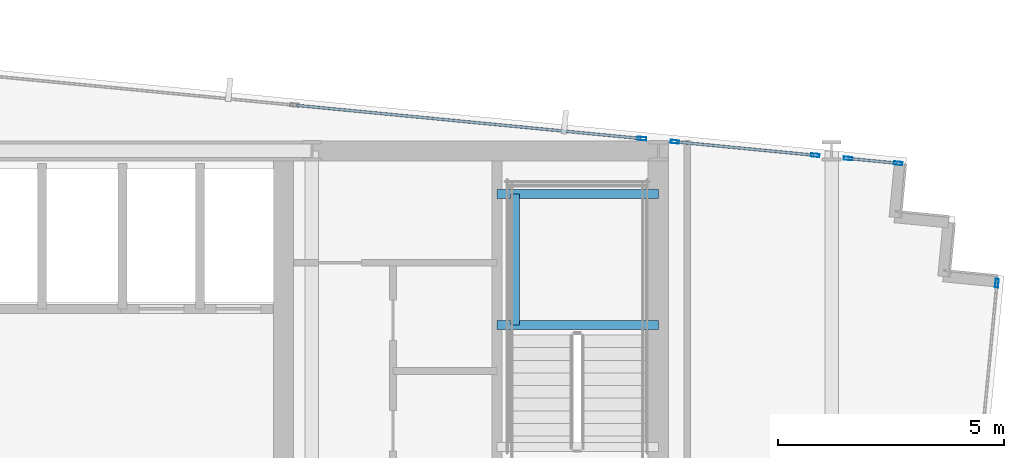
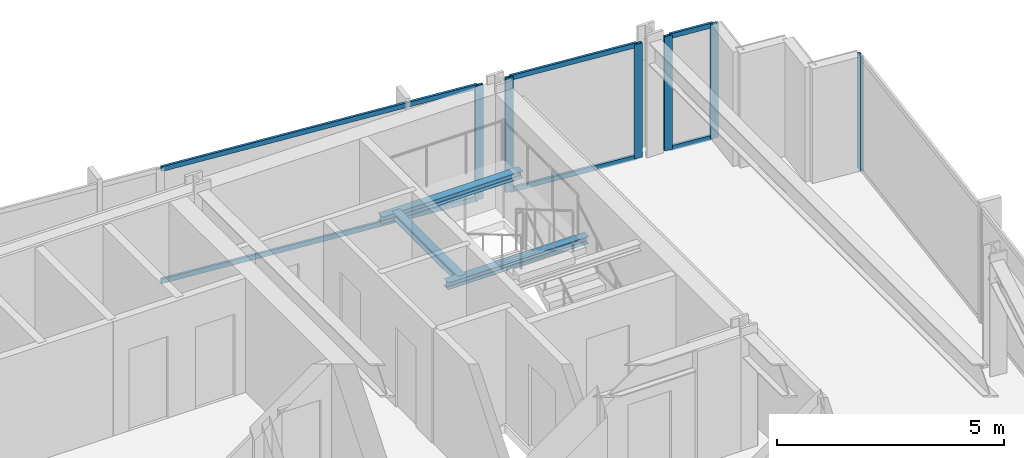
# One storey, part 27 of 38: 12 members, 3 beams, 4 elements without a shape of their own.
"""IFC4 building model written with IfcOpenShell, lengths in metres."""

from ifc_helpers import new_model, si_unit, direction, frame, origin, origin_2d, place, context, subcontext, project, spatial, hollow_rectangle, i_section, extrude, material, material_profile, profile_set, type_object, element, aggregate, save


model = new_model("IFC4")

# Units and contexts
model_context = context("Model", 3, precision=1e-05, world=origin(), true_north=direction((0.0, 1.0)))
body_context = subcontext(model_context, "Body", "Model", "MODEL_VIEW")
ifc_project = project(units=[si_unit("LENGTHUNIT", "METRE"), si_unit("AREAUNIT", "SQUARE_METRE"), si_unit("VOLUMEUNIT", "CUBIC_METRE"), si_unit("PLANEANGLEUNIT", "RADIAN"), si_unit("MASSUNIT", "GRAM", prefix="KILO")], contexts=[model_context])

# Site, building, storey
site_placement = place(None, origin())
site = spatial("IfcSite", under=ifc_project, at=site_placement, CompositionType="ELEMENT")
building_placement = place(site_placement, origin())
building = spatial("IfcBuilding", under=site, at=building_placement, Name="Yelkora Congress Tower", CompositionType="ELEMENT")
storey_placement = place(building_placement, frame((0.0, 0.0, 185.300048828125)))
storey = spatial("IfcBuildingStorey", under=building, at=storey_placement, Name="L51", CompositionType="ELEMENT", Elevation=185.300048828125)

# Beams
ifc_material_1 = material(Name="Steel S355J2", Category="steel")
ifc_material_profile_1 = material_profile(ifc_material_1, i_section(OverallWidth=0.199951171875, OverallDepth=0.18994140625, WebThickness=0.006591796875, FlangeThickness=0.010009765625, FilletRadius=0.01806640625, at=origin_2d()), Name="HEA 200")
ifc_profile_set_1 = profile_set([ifc_material_profile_1], Name="Steel S355J2")
beam_type = type_object("IfcBeamType", Name="BM-LAND-HEA200", PredefinedType="BEAM", material=ifc_profile_set_1)
for number, where, z_axis, x_axis, name in (
    (1, (50.179931640625, 42.340087890625, 1.33447265625), (1.0, 0.0, 0.0), (0.0, 1.0, 0.0), "ST-02 L51 Landing Header Beam 1S"),
    (2, (50.179931640625, 45.25, 1.33447265625), (1.0, 0.0, 0.0), (0.0, 1.0, 0.0), "ST-02 L51 Landing Header Beam 1N"),
):
    element("IfcBeam", number, at=place(storey_placement, frame(where, z_axis=z_axis, x_axis=x_axis)), inside=storey, type_object=beam_type, Name=name, PredefinedType="BEAM", context=body_context, shape_type="SweptSolid", body=[
        extrude(i_section(OverallWidth=0.199951171875, OverallDepth=0.18994140625, WebThickness=0.006591796875, FlangeThickness=0.010009765625, FilletRadius=0.01806640625, at=origin_2d()), origin(), (0.0, 0.0, 1.0), 3.580078125),
    ])
beam_placement = place(storey_placement, frame((50.580078125, 42.340087890625, 1.33447265625), z_axis=(0.0, 1.0, 0.0), x_axis=(-1.0, 0.0, 0.0)))
element("IfcBeam", 3, at=beam_placement, inside=storey, type_object=beam_type, Name="ST-02 L51 Landing Trimmer Beam 1M", PredefinedType="BEAM", context=body_context, shape_type="SweptSolid", body=[
    extrude(i_section(OverallWidth=0.199951171875, OverallDepth=0.18994140625, WebThickness=0.006591796875, FlangeThickness=0.010009765625, FilletRadius=0.01806640625, at=origin_2d()), origin(), (0.0, 0.0, 1.0), 2.909912109375),
])

# Curtain wall, member
ifc_material_2 = material(Name="Anodised aluminium and insulated glass", Category="aluminium")
curtain_wall_type = type_object("IfcCurtainWallType", Name="CW-SYS-B3", PredefinedType="NOTDEFINED", material=ifc_material_2)
curtain_wall_1_placement = place(storey_placement, origin())
curtain_wall_1 = element("IfcCurtainWall", 4, at=curtain_wall_1_placement, inside=storey, type_object=curtain_wall_type, Name="L51 Unitised Curtain Wall 10 (1)", PredefinedType="NOTDEFINED")
ifc_material_3 = material(Name="Anodised aluminium 6063-T6", Category="aluminium")
ifc_material_profile_2 = material_profile(ifc_material_3, hollow_rectangle(XDim=0.070068359375, YDim=0.18994140625, WallThickness=0.00390625, at=origin_2d()), Name="ALU 70x190x4")
ifc_profile_set_2 = profile_set([ifc_material_profile_2], Name="Anodised aluminium 6063-T6")
member_type_1 = type_object("IfcMemberType", Name="MEM-ML-B3", PredefinedType="MULLION", material=ifc_profile_set_2)
member_1_placement = place(storey_placement, frame((53.396240234375, 46.47314453125, 0.0), z_axis=(0.0, 0.0, 1.0), x_axis=(0.095844761168, 0.995396293823, 0.0)))
member_1 = element("IfcMember", 5, at=member_1_placement, type_object=member_type_1, Name="CW-B3 mullion 7", PredefinedType="MULLION", context=body_context, shape_type="SweptSolid", body=[
    extrude(hollow_rectangle(XDim=0.070068359375, YDim=0.18994140625, WallThickness=0.00390625, at=origin_2d()), origin(), (0.0, 0.0, 1.0), 3.079833984375),
])

# Curtain wall, members
curtain_wall_2_placement = place(storey_placement, origin())
curtain_wall_2 = element("IfcCurtainWall", 6, at=curtain_wall_2_placement, inside=storey, type_object=curtain_wall_type, Name="L51 Unitised Curtain Wall 10 (2)", PredefinedType="NOTDEFINED")
member_2_placement = place(storey_placement, frame((54.123779296875, 46.40283203125, 0.0), z_axis=(0.0, 0.0, 1.0), x_axis=(0.095848309157, 0.995395952188, 0.0)))
member_2 = element("IfcMember", 7, at=member_2_placement, type_object=member_type_1, Name="CW-B3 mullion 1", PredefinedType="MULLION", context=body_context, shape_type="SweptSolid", body=[
    extrude(hollow_rectangle(XDim=0.070068359375, YDim=0.18994140625, WallThickness=0.00390625, at=origin_2d()), origin(), (0.0, 0.0, 1.0), 3.079833984375),
])
member_3_placement = place(storey_placement, frame((57.236083984375, 46.103271484375, 0.0), z_axis=(0.0, 0.0, 1.0), x_axis=(0.095848309157, 0.995395952188, 0.0)))
member_3 = element("IfcMember", 8, at=member_3_placement, type_object=member_type_1, Name="CW-B3 mullion 2", PredefinedType="MULLION", context=body_context, shape_type="SweptSolid", body=[
    extrude(hollow_rectangle(XDim=0.070068359375, YDim=0.18994140625, WallThickness=0.00390625, at=origin_2d()), origin(), (0.0, 0.0, 1.0), 3.079833984375),
])

curtain_wall_3_placement = place(storey_placement, origin())
curtain_wall_3 = element("IfcCurtainWall", 9, at=curtain_wall_3_placement, inside=storey, type_object=curtain_wall_type, Name="L51 Unitised Curtain Wall 10 (3)", PredefinedType="NOTDEFINED")
member_4_placement = place(storey_placement, frame((57.9638671875, 46.033203125, 0.0), z_axis=(0.0, 0.0, 1.0), x_axis=(0.095852281686, 0.995395569658, 0.0)))
member_4 = element("IfcMember", 10, at=member_4_placement, type_object=member_type_1, Name="CW-B3 mullion 1", PredefinedType="MULLION", context=body_context, shape_type="SweptSolid", body=[
    extrude(hollow_rectangle(XDim=0.070068359375, YDim=0.18994140625, WallThickness=0.00390625, at=origin_2d()), origin(), (0.0, 0.0, 1.0), 3.079833984375),
])
member_5_placement = place(storey_placement, frame((59.073974609375, 45.92626953125, 0.0), z_axis=(0.0, 0.0, 1.0), x_axis=(0.095852281686, 0.995395569658, 0.0)))
member_5 = element("IfcMember", 11, at=member_5_placement, type_object=member_type_1, Name="CW-B3 mullion 2", PredefinedType="MULLION", context=body_context, shape_type="SweptSolid", body=[
    extrude(hollow_rectangle(XDim=0.070068359375, YDim=0.18994140625, WallThickness=0.00390625, at=origin_2d()), origin(), (0.0, 0.0, 1.0), 3.079833984375),
])

# Curtain wall, member
curtain_wall_4_placement = place(storey_placement, origin())
curtain_wall_4 = element("IfcCurtainWall", 12, at=curtain_wall_4_placement, inside=storey, type_object=curtain_wall_type, Name="L51 Unitised Curtain Wall 15", PredefinedType="NOTDEFINED")
member_6_placement = place(storey_placement, frame((61.26416015625, 43.26904296875, 0.0), z_axis=(0.0, 0.0, 1.0), x_axis=(0.995396565076, -0.095841944023, 0.0)))
member_6 = element("IfcMember", 13, at=member_6_placement, type_object=member_type_1, Name="CW-B3 mullion 1", PredefinedType="MULLION", context=body_context, shape_type="SweptSolid", body=[
    extrude(hollow_rectangle(XDim=0.070068359375, YDim=0.18994140625, WallThickness=0.00390625, at=origin_2d()), origin(), (0.0, 0.0, 1.0), 3.079833984375),
])
aggregate(curtain_wall_4, [member_6])

# Member
ifc_material_profile_3 = material_profile(ifc_material_3, hollow_rectangle(XDim=0.06005859375, YDim=0.1298828125, WallThickness=0.00390625, at=origin_2d()), Name="ALU 60x130x4")
ifc_profile_set_3 = profile_set([ifc_material_profile_3], Name="Anodised aluminium 6063-T6")
member_type_2 = type_object("IfcMemberType", Name="MEM-TR-B3", PredefinedType="USERDEFINED", material=ifc_profile_set_3)
member_7_placement = place(storey_placement, frame((45.732177734375, 47.2109375, 0.030029296875), z_axis=(0.99539600529, -0.095847757686, 0.0), x_axis=(0.095847757686, 0.99539600529, 0.0)))
member_7 = element("IfcMember", 14, at=member_7_placement, type_object=member_type_2, Name="CW-B3 transom 6.1", ObjectType="TRANSOM", PredefinedType="USERDEFINED", context=body_context, shape_type="SweptSolid", body=[
    extrude(hollow_rectangle(XDim=0.06005859375, YDim=0.1298828125, WallThickness=0.00390625, at=origin_2d()), origin(), (0.0, 0.0, 1.0), 7.66455078125),
])

member_8_placement = place(storey_placement, frame((45.732177734375, 47.2109375, 3.050048828125), z_axis=(0.99539600529, -0.095847757686, 0.0), x_axis=(0.095847757686, 0.99539600529, 0.0)))
member_8 = element("IfcMember", 15, at=member_8_placement, type_object=member_type_2, Name="CW-B3 transom 6.2", ObjectType="TRANSOM", PredefinedType="USERDEFINED", context=body_context, shape_type="SweptSolid", body=[
    extrude(hollow_rectangle(XDim=0.06005859375, YDim=0.1298828125, WallThickness=0.00390625, at=origin_2d()), origin(), (0.0, 0.0, 1.0), 7.66455078125),
])

aggregate(curtain_wall_1, [member_1, member_7, member_8])

member_9_placement = place(storey_placement, frame((54.15869140625, 46.399658203125, 0.030029296875), z_axis=(0.995396582455, -0.095841763536, 0.0), x_axis=(0.095841763536, 0.995396582455, 0.0)))
member_9 = element("IfcMember", 16, at=member_9_placement, type_object=member_type_2, Name="CW-B3 transom 1.1", ObjectType="TRANSOM", PredefinedType="USERDEFINED", context=body_context, shape_type="SweptSolid", body=[
    extrude(hollow_rectangle(XDim=0.06005859375, YDim=0.1298828125, WallThickness=0.00390625, at=origin_2d()), origin(), (0.0, 0.0, 1.0), 3.056884765625),
])

member_10_placement = place(storey_placement, frame((54.15869140625, 46.399658203125, 3.050048828125), z_axis=(0.995396582455, -0.095841763536, 0.0), x_axis=(0.095841763536, 0.995396582455, 0.0)))
member_10 = element("IfcMember", 17, at=member_10_placement, type_object=member_type_2, Name="CW-B3 transom 1.2", ObjectType="TRANSOM", PredefinedType="USERDEFINED", context=body_context, shape_type="SweptSolid", body=[
    extrude(hollow_rectangle(XDim=0.06005859375, YDim=0.1298828125, WallThickness=0.00390625, at=origin_2d()), origin(), (0.0, 0.0, 1.0), 3.056884765625),
])

aggregate(curtain_wall_2, [member_2, member_3, member_9, member_10])

member_11_placement = place(storey_placement, frame((57.998779296875, 46.02978515625, 0.030029296875), z_axis=(0.995402606714, -0.095779175957, 0.0), x_axis=(0.095779175957, 0.995402606714, 0.0)))
member_11 = element("IfcMember", 18, at=member_11_placement, type_object=member_type_2, Name="CW-B3 transom 1.1", ObjectType="TRANSOM", PredefinedType="USERDEFINED", context=body_context, shape_type="SweptSolid", body=[
    extrude(hollow_rectangle(XDim=0.06005859375, YDim=0.1298828125, WallThickness=0.00390625, at=origin_2d()), origin(), (0.0, 0.0, 1.0), 1.045166015625),
])

member_12_placement = place(storey_placement, frame((57.998779296875, 46.02978515625, 3.050048828125), z_axis=(0.995402606714, -0.095779175957, 0.0), x_axis=(0.095779175957, 0.995402606714, 0.0)))
member_12 = element("IfcMember", 19, at=member_12_placement, type_object=member_type_2, Name="CW-B3 transom 1.2", ObjectType="TRANSOM", PredefinedType="USERDEFINED", context=body_context, shape_type="SweptSolid", body=[
    extrude(hollow_rectangle(XDim=0.06005859375, YDim=0.1298828125, WallThickness=0.00390625, at=origin_2d()), origin(), (0.0, 0.0, 1.0), 1.045166015625),
])

aggregate(curtain_wall_3, [member_4, member_5, member_11, member_12])

save(model, "model.ifc")
